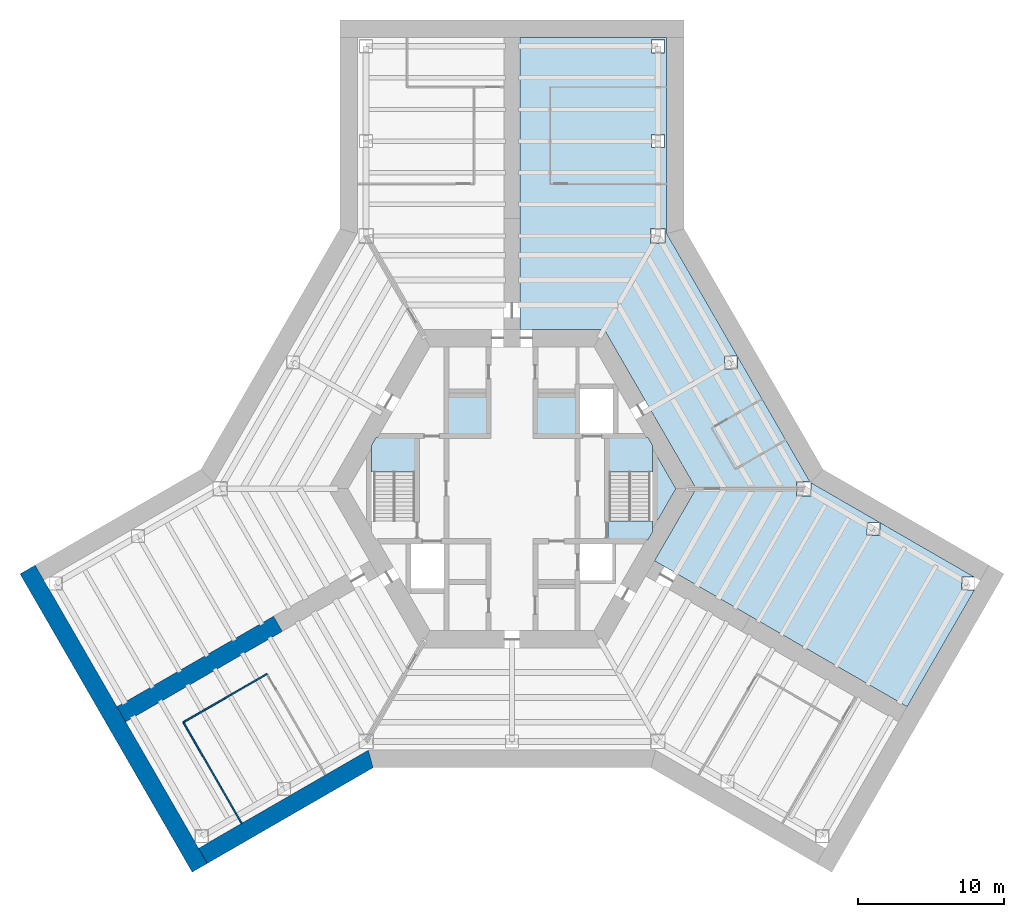
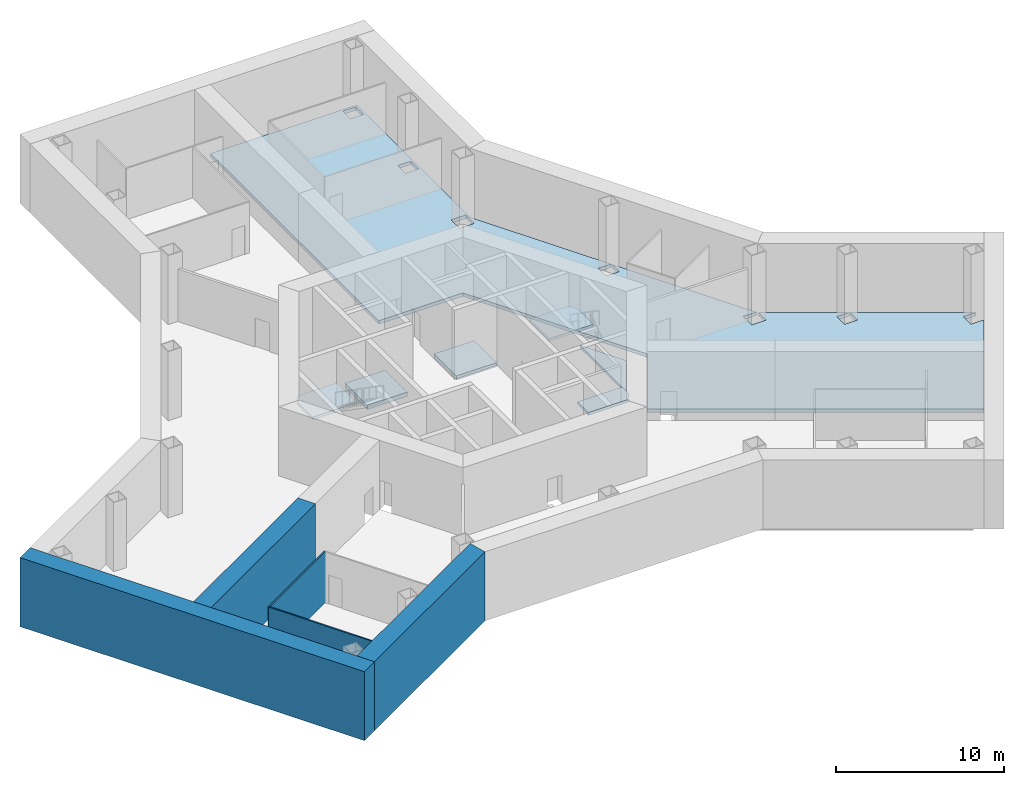
# One storey, part 3 of 7: 7 slabs, 5 walls, 2 elements without a shape of their own.
"""IFC4 building model written with IfcOpenShell, lengths in metres."""

from ifc_helpers import new_model, si_unit, direction, frame, frame_2d, origin, place, context, subcontext, project, spatial, polyline, rectangle, outline, extrude, material, layer, layer_set, type_object, element, aggregate, save


model = new_model("IFC4")

# Units and contexts
model_context = context("Model", 3, precision=1e-05, world=origin(), true_north=direction((0.0, 1.0)))
body_context = subcontext(model_context, "Body", "Model", "MODEL_VIEW")
ifc_project = project(units=[si_unit("LENGTHUNIT", "METRE"), si_unit("AREAUNIT", "SQUARE_METRE"), si_unit("VOLUMEUNIT", "CUBIC_METRE"), si_unit("PLANEANGLEUNIT", "RADIAN"), si_unit("MASSUNIT", "GRAM", prefix="KILO")], contexts=[model_context])

# Site, building, storey
site_placement = place(None, origin())
site = spatial("IfcSite", under=ifc_project, at=site_placement, CompositionType="ELEMENT")
building_placement = place(site_placement, origin())
building = spatial("IfcBuilding", under=site, at=building_placement, Name="Kasaneha Research Tower", CompositionType="ELEMENT")
storey_placement = place(building_placement, frame((0.0, 0.0, -5.0)))
storey = spatial("IfcBuildingStorey", under=building, at=storey_placement, Name="B1", CompositionType="ELEMENT", Elevation=-5.0)

# Slabs
ifc_material_1 = material(Name="Concrete Fc24", Category="concrete")
ifc_layer_1 = layer(ifc_material_1, 0.199951171875)
ifc_layer_set_1 = layer_set([ifc_layer_1], Name="Core floor slab 200")
slab_type_1 = type_object("IfcSlabType", Name="Core floor slab 200", PredefinedType="FLOOR", material=ifc_layer_set_1)
slab_1_placement = place(storey_placement, frame((0.0, 0.0, -0.199951171875)))
element("IfcSlab", 1, at=slab_1_placement, inside=storey, type_object=slab_type_1, Name="Core slab B1", PredefinedType="FLOOR", context=body_context, shape_type="SweptSolid", body=[
    extrude(outline(polyline([(11.2294921875, 0.0), (9.625, -2.779052734375), (9.625, 2.779052734375), (11.2294921875, 0.0)])), origin(), (0.0, 0.0, 1.0), 0.199951171875),
])
ifc_material_2 = material(Name="Concrete Fc24", Category="concrete")
ifc_layer_2 = layer(ifc_material_2, 0.25)
ifc_layer_set_2 = layer_set([ifc_layer_2], Name="Floor slab 250")
slab_type_2 = type_object("IfcSlabType", Name="Floor slab 250", PredefinedType="FLOOR", material=ifc_layer_set_2)
slab_2_placement = place(storey_placement, frame((0.0, 0.0, -0.25)))
element("IfcSlab", 2, at=slab_2_placement, inside=storey, type_object=slab_type_2, Name="Floor slab B1 3", PredefinedType="FLOOR", context=body_context, shape_type="SweptSolid", body=[
    extrude(outline(polyline([(10.60009765625, 30.92041015625), (10.60009765625, 17.481201171875), (15.43310546875, 9.1103515625), (14.550048828125, 9.1103515625), (14.550048828125, 8.210205078125), (15.449951171875, 8.210205078125), (15.449951171875, 9.080810546875), (20.404052734375, 0.5), (19.5, 0.5), (19.5, -0.5), (20.5, -0.5), (20.5, 0.404052734375), (25.183837890625, -2.300048828125), (24.313232421875, -2.300048828125), (24.313232421875, -3.199951171875), (25.213134765625, -3.199951171875), (25.213134765625, -2.31689453125), (31.678955078125, -6.050048828125), (30.808349609375, -6.050048828125), (30.808349609375, -6.949951171875), (31.69140625, -6.949951171875), (27.077880859375, -14.940673828125), (9.76123046875, -4.94287109375), (12.614990234375, 0.0), (6.3076171875, 10.925048828125), (0.550048828125, 10.925048828125), (0.550048828125, 30.92041015625), (10.60009765625, 30.92041015625)]), holes=[polyline([(10.5, 16.820556640625), (10.5, 17.820556640625), (9.5, 17.820556640625), (9.5, 16.820556640625), (10.5, 16.820556640625)]), polyline([(10.449951171875, 23.37060546875), (10.449951171875, 24.2705078125), (9.550048828125, 24.2705078125), (9.550048828125, 23.37060546875), (10.449951171875, 23.37060546875)]), polyline([(10.449951171875, 29.87060546875), (10.449951171875, 30.7705078125), (9.550048828125, 30.7705078125), (9.550048828125, 29.87060546875), (10.449951171875, 29.87060546875)])]), origin(), (0.0, 0.0, 1.0), 0.25),
])
ifc_material_3 = material(Name="Concrete Fc24", Category="concrete")
ifc_layer_3 = layer(ifc_material_3, 0.300048828125)
ifc_layer_set_3 = layer_set([ifc_layer_3], Name="Lift pit slab 300")
slab_type_3 = type_object("IfcSlabType", Name="Lift pit slab 300", PredefinedType="USERDEFINED", material=ifc_layer_set_3)
slab_3_placement = place(storey_placement, frame((0.0, 0.0, -0.300048828125)))
element("IfcSlab", 3, at=slab_3_placement, inside=storey, type_object=slab_type_3, Name="Lift pit slab LO1", ObjectType="LIFT PIT SLAB", PredefinedType="USERDEFINED", context=body_context, shape_type="SweptSolid", body=[
    extrude(outline(polyline([(-1.675048828125, 3.675048828125), (-4.425048828125, 3.675048828125), (-4.425048828125, 6.324951171875), (-1.675048828125, 6.324951171875), (-1.675048828125, 3.675048828125)])), origin(), (0.0, 0.0, 1.0), 0.300048828125),
])
slab_4_placement = place(storey_placement, frame((0.0, 0.0, -0.300048828125)))
element("IfcSlab", 4, at=slab_4_placement, inside=storey, type_object=slab_type_3, Name="Lift pit slab SH1", ObjectType="LIFT PIT SLAB", PredefinedType="USERDEFINED", context=body_context, shape_type="SweptSolid", body=[
    extrude(outline(polyline([(4.425048828125, 3.675048828125), (1.675048828125, 3.675048828125), (1.675048828125, 6.324951171875), (4.425048828125, 6.324951171875), (4.425048828125, 3.675048828125)])), origin(), (0.0, 0.0, 1.0), 0.300048828125),
])

# Stair, slabs
ifc_material_4 = material(Name="Concrete Fc24", Category="concrete")
stair_type = type_object("IfcStairType", Name="Half-turn stair 28 risers", PredefinedType="HALF_TURN_STAIR", material=ifc_material_4)
stair_1_placement = place(storey_placement, origin())
stair_1 = element("IfcStair", 5, at=stair_1_placement, inside=storey, type_object=stair_type, Name="Stair 1 B1", PredefinedType="HALF_TURN_STAIR")
ifc_material_5 = material(Name="Concrete Fc24", Category="concrete")
ifc_layer_4 = layer(ifc_material_5, 0.199951171875)
ifc_layer_set_4 = layer_set([ifc_layer_4], Name="Stair 1 landing 200")
slab_type_4 = type_object("IfcSlabType", Name="Stair 1 landing 200", PredefinedType="LANDING", material=ifc_layer_set_4)
slab_5_placement = place(storey_placement, frame((0.0, 0.0, -0.199951171875)))
slab_5 = element("IfcSlab", 6, at=slab_5_placement, type_object=slab_type_4, Name="ST1-28R landing 1", PredefinedType="LANDING", context=body_context, shape_type="SweptSolid", body=[
    extrude(outline(polyline([(9.309814453125, -3.52490234375), (6.574951171875, -3.52490234375), (6.574951171875, -2.22509765625), (9.625, -2.22509765625), (9.625, -2.97900390625), (9.309814453125, -3.52490234375)])), origin(), (0.0, 0.0, 1.0), 0.199951171875),
])
slab_6_placement = place(storey_placement, frame((0.0, 0.0, 2.300048828125)))
slab_6 = element("IfcSlab", 7, at=slab_6_placement, type_object=slab_type_4, Name="ST1-28R landing 2", PredefinedType="LANDING", context=body_context, shape_type="SweptSolid", body=[
    extrude(outline(polyline([(6.574951171875, 3.52490234375), (9.309814453125, 3.52490234375), (9.625, 2.97900390625), (9.625, 1.155029296875), (6.574951171875, 1.155029296875), (6.574951171875, 3.52490234375)])), origin(), (0.0, 0.0, 1.0), 0.199951171875),
])
aggregate(stair_1, [slab_5, slab_6])

# Stair, slab
stair_2_placement = place(storey_placement, origin())
stair_2 = element("IfcStair", 8, at=stair_2_placement, inside=storey, type_object=stair_type, Name="Stair 2 B1", PredefinedType="HALF_TURN_STAIR")
ifc_material_6 = material(Name="Concrete Fc24", Category="concrete")
ifc_layer_5 = layer(ifc_material_6, 0.199951171875)
ifc_layer_set_5 = layer_set([ifc_layer_5], Name="Stair 2 landing 200")
slab_type_5 = type_object("IfcSlabType", Name="Stair 2 landing 200", PredefinedType="LANDING", material=ifc_layer_set_5)
slab_7_placement = place(storey_placement, frame((0.0, 0.0, 2.300048828125)))
slab_7 = element("IfcSlab", 9, at=slab_7_placement, type_object=slab_type_5, Name="ST2-28R landing 2", PredefinedType="LANDING", context=body_context, shape_type="SweptSolid", body=[
    extrude(outline(polyline([(-6.574951171875, 1.155029296875), (-9.625, 1.155029296875), (-9.625, 2.97900390625), (-9.309814453125, 3.52490234375), (-6.574951171875, 3.52490234375), (-6.574951171875, 1.155029296875)])), origin(), (0.0, 0.0, 1.0), 0.199951171875),
])
aggregate(stair_2, [slab_7])

# Walls
ifc_material_7 = material(Name="Concrete Fc60", Category="concrete")
ifc_layer_6 = layer(ifc_material_7, 1.199951171875)
ifc_layer_set_6 = layer_set([ifc_layer_6], Name="Basement retaining wall 1200 Fc60")
wall_type_1 = type_object("IfcWallType", Name="Basement retaining wall 1200 Fc60", PredefinedType="SOLIDWALL", material=ifc_layer_set_6)
wall_1_placement = place(storey_placement, frame((-9.678466796875, -18.5205078125, 0.0), z_axis=(0.0, 0.0, 1.0), x_axis=(-0.866028209229, -0.499995140796, 0.0)))
element("IfcWall", 10, at=wall_1_placement, inside=storey, type_object=wall_type_1, Name="Retaining wall 11 B1", PredefinedType="SOLIDWALL", context=body_context, shape_type="SweptSolid", body=[
    extrude(outline(polyline([(-0.160888671875, -0.60009765625), (13.278564453125, -0.60009765625), (13.278564453125, 0.60009765625), (0.160888671875, 0.60009765625), (-0.160888671875, -0.60009765625)])), origin(), (0.0, 0.0, 1.0), 5.0),
])
wall_2_placement = place(storey_placement, frame((-21.3974609375, -25.979248046875, 0.0), z_axis=(0.0, 0.0, 1.0), x_axis=(-0.500005427746, 0.866022270051, 0.0)))
element("IfcWall", 11, at=wall_2_placement, inside=storey, type_object=wall_type_1, Name="Retaining wall 12 B1", PredefinedType="SOLIDWALL", context=body_context, shape_type="SweptSolid", body=[
    extrude(rectangle(XDim=23.599853515625, YDim=1.199951171875, at=frame_2d((11.7998046875, 0.0))), origin(), (0.0, 0.0, 1.0), 5.0),
])
ifc_material_8 = material(Name="Gypsum board on steel studs, one layer each side", Category="steel")
ifc_layer_7 = layer(ifc_material_8, 0.10009765625)
ifc_layer_set_7 = layer_set([ifc_layer_7], Name="Office partition 100")
wall_type_2 = type_object("IfcWallType", Name="Office partition 100", PredefinedType="PARTITIONING", material=ifc_layer_set_7)
wall_3_placement = place(storey_placement, frame((-22.52490234375, -16.007080078125, 0.0), z_axis=(0.0, 0.0, 1.0), x_axis=(0.866021597574, 0.500006592492, 0.0)))
element("IfcWall", 12, at=wall_3_placement, inside=storey, type_object=wall_type_2, Name="Office partition FBS01 B1", PredefinedType="PARTITIONING", context=body_context, shape_type="SweptSolid", body=[
    extrude(rectangle(XDim=6.61962890625, YDim=0.10009765625, at=frame_2d((3.309814453125, 0.0))), origin(), (0.0, 0.0, 1.0), 3.699951171875),
])
wall_4_placement = place(storey_placement, frame((-18.525390625, -22.934326171875, 0.0), z_axis=(0.0, 0.0, 1.0), x_axis=(-0.500006030964, 0.866021921778, 0.0)))
element("IfcWall", 13, at=wall_4_placement, inside=storey, type_object=wall_type_2, Name="Office partition FBS02 B1", PredefinedType="PARTITIONING", context=body_context, shape_type="SweptSolid", body=[
    extrude(rectangle(XDim=7.9990234375, YDim=0.10009765625, at=frame_2d((3.99951171875, 0.0))), origin(), (0.0, 0.0, 1.0), 3.699951171875),
])
ifc_material_9 = material(Name="Concrete Fc100", Category="concrete")
ifc_layer_8 = layer(ifc_material_9, 1.199951171875)
ifc_layer_set_8 = layer_set([ifc_layer_8], Name="Spine wall 1200 Fc100")
wall_type_3 = type_object("IfcWallType", Name="Spine wall 1200 Fc100", PredefinedType="SHEAR", material=ifc_layer_set_8)
wall_5_placement = place(storey_placement, frame((-16.039306640625, -9.26025390625, 0.0), z_axis=(0.0, 0.0, 1.0), x_axis=(-0.866023285932, -0.50000366821, 0.0)))
element("IfcWall", 14, at=wall_5_placement, inside=storey, type_object=wall_type_3, Name="Spine wall B wing B1", PredefinedType="SHEAR", context=body_context, shape_type="SweptSolid", body=[
    extrude(rectangle(XDim=12.39990234375, YDim=1.199951171875, at=frame_2d((6.199951171875, 0.0))), origin(), (0.0, 0.0, 1.0), 5.0),
])

save(model, "model.ifc")
